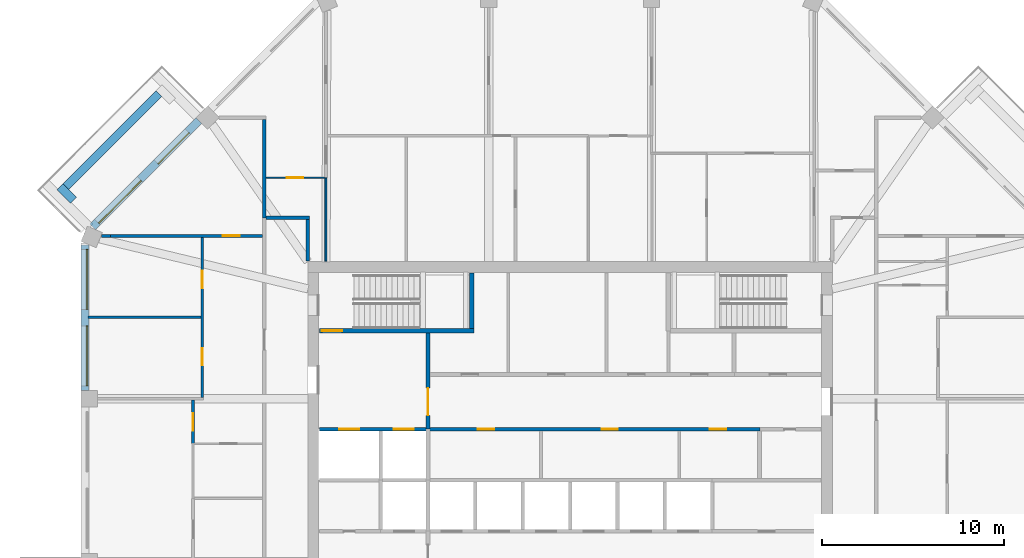
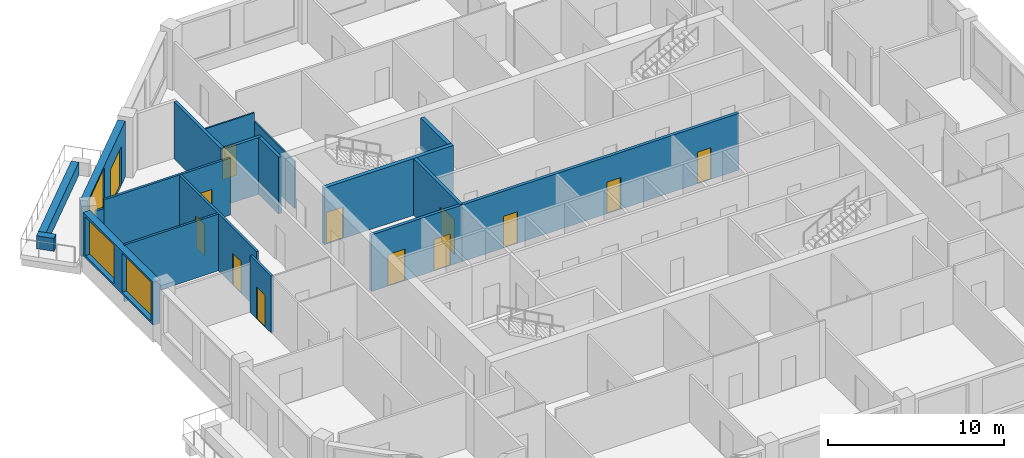
# One storey, part 7 of 11: 19 walls, 13 doors, 3 windows, 16 openings.
"""IFC4 building model written with IfcOpenShell, lengths in metres."""

from ifc_helpers import new_model, si_unit, direction, frame, frame_2d, origin, place, context, subcontext, project, spatial, rectangle, extrude, material, layer, layer_set, type_object, element, fill, save


model = new_model("IFC4")

# Units and contexts
model_context = context("Model", 3, precision=1e-05, world=origin(), true_north=direction((0.0, 1.0)))
body_context = subcontext(model_context, "Body", "Model", "MODEL_VIEW")
ifc_project = project(units=[si_unit("LENGTHUNIT", "METRE"), si_unit("AREAUNIT", "SQUARE_METRE"), si_unit("VOLUMEUNIT", "CUBIC_METRE"), si_unit("PLANEANGLEUNIT", "RADIAN"), si_unit("MASSUNIT", "GRAM", prefix="KILO")], contexts=[model_context])

# Site, building, storey
site_placement = place(None, origin())
site = spatial("IfcSite", under=ifc_project, at=site_placement, CompositionType="ELEMENT")
building_placement = place(site_placement, origin())
building = spatial("IfcBuilding", under=site, at=building_placement, Name="Msitu Wima Residences", CompositionType="ELEMENT")
storey_placement = place(building_placement, frame((0.0, 0.0, 297.89990234375)))
storey = spatial("IfcBuildingStorey", under=building, at=storey_placement, Name="L69", CompositionType="ELEMENT", Elevation=297.89990234375)

# Walls
ifc_material_1 = material(Name="Facing brick")
ifc_layer_1 = layer(ifc_material_1, 0.06494140625, Name="Facing brick")
ifc_material_2 = material(Name="Concrete C40/50", Category="concrete")
ifc_layer_2 = layer(ifc_material_2, 0.156005859375, Name="Concrete C40/50")
ifc_material_3 = material(Name="Waterproofing membrane")
ifc_layer_3 = layer(ifc_material_3, 0.00390625, Name="Waterproofing membrane")
ifc_material_4 = material(Name="Planting soil and planting")
ifc_layer_4 = layer(ifc_material_4, 0.22509765625, Name="Planting soil and planting")
ifc_layer_set_1 = layer_set([ifc_layer_1, ifc_layer_2, ifc_layer_3, ifc_layer_4], Name="Concrete C40/50")
wall_type_1 = type_object("IfcWallType", Name="Balcony planter PLANTER PL450", PredefinedType="USERDEFINED", material=ifc_layer_set_1)
wall_1_placement = place(storey_placement, frame((-22.572265625, 21.228759765625, 0.0), z_axis=(0.0, 0.0, 1.0), x_axis=(-0.707106781187, -0.707106781187, 0.0)))
element("IfcWall", 1, at=wall_1_placement, inside=storey, type_object=wall_type_1, Name="Balcony planter NW1 L69", ObjectType="PLANTER", PredefinedType="USERDEFINED", context=body_context, shape_type="SweptSolid", body=[
    extrude(rectangle(XDim=7.23828125, YDim=0.449951171875, at=frame_2d((3.619140625, 0.0))), origin(), (0.0, 0.0, 1.0), 0.900146484375),
])
wall_2_placement = place(storey_placement, frame((-27.26611328125, 15.3681640625, 0.0), z_axis=(0.0, 0.0, 1.0), x_axis=(-0.707223014731, 0.706990528533, 0.0)))
element("IfcWall", 2, at=wall_2_placement, inside=storey, type_object=wall_type_1, Name="Balcony planter NW1 L69", ObjectType="PLANTER", PredefinedType="USERDEFINED", context=body_context, shape_type="SweptSolid", body=[
    extrude(rectangle(XDim=1.050048828125, YDim=0.449951171875, at=frame_2d((0.52490234375, 0.0))), origin(), (0.0, 0.0, 1.0), 0.900146484375),
])

# Wall, openings, door, window
ifc_material_5 = material(Name="Brick (red buff mix)", Category="masonry")
ifc_layer_5 = layer(ifc_material_5, 0.449951171875)
ifc_layer_set_2 = layer_set([ifc_layer_5], Name="Brick (red buff mix)")
wall_type_2 = type_object("IfcWallType", Name="Brick infill wall BW450", PredefinedType="SOLIDWALL", material=ifc_layer_set_2)
wall_3_placement = place(storey_placement, frame((-20.380126953125, 19.743896484375, 0.0), z_axis=(0.0, 0.0, 1.0), x_axis=(-0.707106781187, -0.707106781187, 0.0)))
wall_3 = element("IfcWall", 3, at=wall_3_placement, inside=storey, type_object=wall_type_2, Name="Brick infill wall L69 NW1", PredefinedType="SOLIDWALL", context=body_context, shape_type="SweptSolid", body=[
    extrude(rectangle(XDim=8.251220703125, YDim=0.449951171875, at=frame_2d((4.12548828125, 0.0))), origin(), (0.0, 0.0, 1.0), 3.900146484375),
])
opening_1_placement = place(wall_3_placement, frame((0.86279296875, 0.0, 0.0)))
opening_1 = element("IfcOpeningElement", 4, at=opening_1_placement, cuts=wall_3, Name="Opening D68-70.004", PredefinedType="OPENING", context=body_context, shape_type="SweptSolid", body=[
    extrude(rectangle(XDim=2.39990234375, YDim=2.699951171875, at=frame_2d((1.199951171875, 1.35009765625))), frame((0.0, 0.23486328125, 0.0), z_axis=(0.0, -1.0, 0.0), x_axis=(1.0, 0.0, 0.0)), (0.0, 0.0, 1.0), 0.469970703125),
])
opening_2_placement = place(wall_3_placement, frame((4.57568359375, 0.0, 1.050048828125)))
opening_2 = element("IfcOpeningElement", 5, at=opening_2_placement, cuts=wall_3, Name="Opening W68-70.016", PredefinedType="OPENING", context=body_context, shape_type="SweptSolid", body=[
    extrude(rectangle(XDim=3.300048828125, YDim=2.699951171875, at=frame_2d((1.64990234375, 1.35009765625))), frame((0.0, 0.23486328125, 0.0), z_axis=(0.0, -1.0, 0.0), x_axis=(1.0, 0.0, 0.0)), (0.0, 0.0, 1.0), 0.469970703125),
])
ifc_material_6 = material(Name="Anodised aluminium, bronze finish, clear low-emissivity double glazing", Category="aluminium")
door_type_1 = type_object("IfcDoorType", Name="Balcony door D2400x2700", OperationType="SLIDING_TO_LEFT", PredefinedType="DOOR", material=ifc_material_6)
door_1_placement = place(opening_1_placement, origin())
door_1 = element("IfcDoor", 6, at=door_1_placement, inside=storey, type_object=door_type_1, Name="Balcony door L69 NW1", OperationType="SINGLE_SWING_LEFT", OverallHeight=2.699951171875, OverallWidth=2.39990234375, PredefinedType="DOOR", context=body_context, shape_type="SweptSolid", body=[
    extrude(rectangle(XDim=2.39990234375, YDim=2.699951171875, at=frame_2d((1.199951171875, 1.35009765625))), frame((0.0, 0.1298828125, 0.0), z_axis=(0.0, -1.0, 0.0), x_axis=(1.0, 0.0, 0.0)), (0.0, 0.0, 1.0), 0.050048828125),
])
fill(opening_1, door_1)
window_type = type_object("IfcWindowType", Name="Window W3300x2700", PartitioningType="DOUBLE_PANEL_VERTICAL", PredefinedType="WINDOW", material=ifc_material_6)
window_1_placement = place(opening_2_placement, origin())
window_1 = element("IfcWindow", 7, at=window_1_placement, inside=storey, type_object=window_type, Name="Window L69 NW1.2", OverallHeight=2.699951171875, OverallWidth=3.300048828125, PartitioningType="SINGLE_PANEL", PredefinedType="WINDOW", context=body_context, shape_type="SweptSolid", body=[
    extrude(rectangle(XDim=3.300048828125, YDim=2.699951171875, at=frame_2d((1.64990234375, 1.35009765625))), frame((0.0, 0.135009765625, 0.0), z_axis=(0.0, -1.0, 0.0), x_axis=(1.0, 0.0, 0.0)), (0.0, 0.0, 1.0), 0.06005859375),
])
fill(opening_2, window_1)

# Wall, openings, windows
wall_4_placement = place(storey_placement, frame((-26.625, 12.918701171875, 0.900146484375), z_axis=(0.0, 0.0, 1.0), x_axis=(0.0, -1.0, 0.0)))
wall_4 = element("IfcWall", 8, at=wall_4_placement, inside=storey, type_object=wall_type_2, Name="Brick infill wall L69 W0", PredefinedType="SOLIDWALL", context=body_context, shape_type="SweptSolid", body=[
    extrude(rectangle(XDim=8.0, YDim=0.449951171875, at=frame_2d((4.0, 0.0))), origin(), (0.0, 0.0, 1.0), 3.0),
])
opening_3_placement = place(wall_4_placement, frame((0.25, 0.0, 0.14990234375)))
opening_3 = element("IfcOpeningElement", 9, at=opening_3_placement, cuts=wall_4, Name="Opening W68-70.029", PredefinedType="OPENING", context=body_context, shape_type="SweptSolid", body=[
    extrude(rectangle(XDim=3.300048828125, YDim=2.699951171875, at=frame_2d((1.64990234375, 1.35009765625))), frame((0.0, 0.23486328125, 0.0), z_axis=(0.0, -1.0, 0.0), x_axis=(1.0, 0.0, 0.0)), (0.0, 0.0, 1.0), 0.469970703125),
])
opening_4_placement = place(wall_4_placement, frame((4.4501953125, 0.0, 0.14990234375)))
opening_4 = element("IfcOpeningElement", 10, at=opening_4_placement, cuts=wall_4, Name="Opening W68-70.030", PredefinedType="OPENING", context=body_context, shape_type="SweptSolid", body=[
    extrude(rectangle(XDim=3.300048828125, YDim=2.699951171875, at=frame_2d((1.64990234375, 1.35009765625))), frame((0.0, 0.23486328125, 0.0), z_axis=(0.0, -1.0, 0.0), x_axis=(1.0, 0.0, 0.0)), (0.0, 0.0, 1.0), 0.469970703125),
])
window_2_placement = place(opening_3_placement, origin())
window_2 = element("IfcWindow", 11, at=window_2_placement, inside=storey, type_object=window_type, Name="Window L69 W0.1", OverallHeight=2.699951171875, OverallWidth=3.300048828125, PartitioningType="SINGLE_PANEL", PredefinedType="WINDOW", context=body_context, shape_type="SweptSolid", body=[
    extrude(rectangle(XDim=3.300048828125, YDim=2.699951171875, at=frame_2d((1.64990234375, 1.35009765625))), frame((0.0, 0.135009765625, 0.0), z_axis=(0.0, -1.0, 0.0), x_axis=(1.0, 0.0, 0.0)), (0.0, 0.0, 1.0), 0.06005859375),
])
fill(opening_3, window_2)
window_3_placement = place(opening_4_placement, origin())
window_3 = element("IfcWindow", 12, at=window_3_placement, inside=storey, type_object=window_type, Name="Window L69 W0.2", OverallHeight=2.699951171875, OverallWidth=3.300048828125, PartitioningType="SINGLE_PANEL", PredefinedType="WINDOW", context=body_context, shape_type="SweptSolid", body=[
    extrude(rectangle(XDim=3.300048828125, YDim=2.699951171875, at=frame_2d((1.64990234375, 1.35009765625))), frame((0.0, 0.135009765625, 0.0), z_axis=(0.0, -1.0, 0.0), x_axis=(1.0, 0.0, 0.0)), (0.0, 0.0, 1.0), 0.06005859375),
])
fill(opening_4, window_3)

# Walls
ifc_material_7 = material(Name="Plaster")
ifc_layer_6 = layer(ifc_material_7, 0.011962890625, Name="Plaster")
ifc_material_8 = material(Name="Concrete blockwork", Category="masonry")
ifc_layer_7 = layer(ifc_material_8, 0.176025390625, Name="Concrete blockwork")
ifc_layer_8 = layer(ifc_material_7, 0.011962890625, Name="Plaster")
ifc_layer_set_3 = layer_set([ifc_layer_6, ifc_layer_7, ifc_layer_8], Name="Concrete blockwork")
wall_type_3 = type_object("IfcWallType", Name="Corridor wall FW200", PredefinedType="PARTITIONING", material=ifc_layer_set_3)
wall_5_placement = place(storey_placement, frame((-16.699951171875, 14.39990234375, 0.0), z_axis=(0.0, 0.0, 1.0), x_axis=(1.0, 0.0, 0.0)))
element("IfcWall", 13, at=wall_5_placement, inside=storey, type_object=wall_type_3, Name="Corridor wall", PredefinedType="PARTITIONING", context=body_context, shape_type="SweptSolid", body=[
    extrude(rectangle(XDim=2.39990234375, YDim=0.199951171875, at=frame_2d((1.199951171875, 0.0))), origin(), (0.0, 0.0, 1.0), 3.9501953125),
])
wall_6_placement = place(storey_placement, frame((-14.39990234375, 12.030029296875, 0.0), z_axis=(0.0, 0.0, 1.0), x_axis=(0.0, 1.0, 0.0)))
element("IfcWall", 14, at=wall_6_placement, inside=storey, type_object=wall_type_3, Name="Corridor wall", PredefinedType="PARTITIONING", context=body_context, shape_type="SweptSolid", body=[
    extrude(rectangle(XDim=2.27001953125, YDim=0.199951171875, at=frame_2d((1.135009765625, 0.0))), origin(), (0.0, 0.0, 1.0), 3.9501953125),
])

# Wall, openings, doors
wall_7_placement = place(storey_placement, frame((-7.820068359375, 2.800048828125, 0.0), z_axis=(0.0, 0.0, 1.0), x_axis=(1.0, 0.0, 0.0)))
wall_7 = element("IfcWall", 15, at=wall_7_placement, inside=storey, type_object=wall_type_3, Name="Corridor wall", PredefinedType="PARTITIONING", context=body_context, shape_type="SweptSolid", body=[
    extrude(rectangle(XDim=18.239990234375, YDim=0.199951171875, at=frame_2d((9.1201171875, 0.0))), origin(), (0.0, 0.0, 1.0), 3.9501953125),
])
opening_5_placement = place(wall_7_placement, frame((2.75, 0.0, 0.0)))
opening_5 = element("IfcOpeningElement", 16, at=opening_5_placement, cuts=wall_7, Name="Opening D68-70.073", PredefinedType="OPENING", context=body_context, shape_type="SweptSolid", body=[
    extrude(rectangle(XDim=0.89990234375, YDim=2.199951171875, at=frame_2d((0.449951171875, 1.10009765625))), frame((0.0, 0.10986328125, 0.0), z_axis=(0.0, -1.0, 0.0), x_axis=(1.0, 0.0, 0.0)), (0.0, 0.0, 1.0), 0.219970703125),
])
opening_6_placement = place(wall_7_placement, frame((9.550048828125, 0.0, 0.0)))
opening_6 = element("IfcOpeningElement", 17, at=opening_6_placement, cuts=wall_7, Name="Opening D68-70.074", PredefinedType="OPENING", context=body_context, shape_type="SweptSolid", body=[
    extrude(rectangle(XDim=0.89990234375, YDim=2.199951171875, at=frame_2d((0.449951171875, 1.10009765625))), frame((0.0, 0.10986328125, 0.0), z_axis=(0.0, -1.0, 0.0), x_axis=(1.0, 0.0, 0.0)), (0.0, 0.0, 1.0), 0.219970703125),
])
opening_7_placement = place(wall_7_placement, frame((15.5, 0.0, 0.0)))
opening_7 = element("IfcOpeningElement", 18, at=opening_7_placement, cuts=wall_7, Name="Opening D68-70.075", PredefinedType="OPENING", context=body_context, shape_type="SweptSolid", body=[
    extrude(rectangle(XDim=0.89990234375, YDim=2.199951171875, at=frame_2d((0.449951171875, 1.10009765625))), frame((0.0, 0.10986328125, 0.0), z_axis=(0.0, -1.0, 0.0), x_axis=(1.0, 0.0, 0.0)), (0.0, 0.0, 1.0), 0.219970703125),
])
ifc_material_9 = material(Name="Timber flush door", Category="wood")
door_type_2 = type_object("IfcDoorType", Name="Service door D05 900x2200", OperationType="SINGLE_SWING_LEFT", PredefinedType="DOOR", material=ifc_material_9)
door_2_placement = place(opening_5_placement, origin())
door_2 = element("IfcDoor", 19, at=door_2_placement, inside=storey, type_object=door_type_2, Name="Service door", OperationType="SINGLE_SWING_LEFT", OverallHeight=2.199951171875, OverallWidth=0.89990234375, PredefinedType="DOOR", context=body_context, shape_type="SweptSolid", body=[
    extrude(rectangle(XDim=0.89990234375, YDim=2.199951171875, at=frame_2d((0.449951171875, 1.10009765625))), frame((0.0, 0.02490234375, 0.0), z_axis=(0.0, -1.0, 0.0), x_axis=(1.0, 0.0, 0.0)), (0.0, 0.0, 1.0), 0.050048828125),
])
fill(opening_5, door_2)
door_3_placement = place(opening_6_placement, origin())
door_3 = element("IfcDoor", 20, at=door_3_placement, inside=storey, type_object=door_type_2, Name="Service door", OperationType="SINGLE_SWING_LEFT", OverallHeight=2.199951171875, OverallWidth=0.89990234375, PredefinedType="DOOR", context=body_context, shape_type="SweptSolid", body=[
    extrude(rectangle(XDim=0.89990234375, YDim=2.199951171875, at=frame_2d((0.449951171875, 1.10009765625))), frame((0.0, 0.02490234375, 0.0), z_axis=(0.0, -1.0, 0.0), x_axis=(1.0, 0.0, 0.0)), (0.0, 0.0, 1.0), 0.050048828125),
])
fill(opening_6, door_3)
door_4_placement = place(opening_7_placement, origin())
door_4 = element("IfcDoor", 21, at=door_4_placement, inside=storey, type_object=door_type_2, Name="Service door", OperationType="SINGLE_SWING_RIGHT", OverallHeight=2.199951171875, OverallWidth=0.89990234375, PredefinedType="DOOR", context=body_context, shape_type="SweptSolid", body=[
    extrude(rectangle(XDim=0.89990234375, YDim=2.199951171875, at=frame_2d((0.449951171875, 1.10009765625))), frame((0.0, 0.02490234375, 0.0), z_axis=(0.0, -1.0, 0.0), x_axis=(1.0, 0.0, 0.0)), (0.0, 0.0, 1.0), 0.050048828125),
])
fill(opening_7, door_4)

# Wall, opening, door
wall_8_placement = place(storey_placement, frame((-7.800048828125, 2.800048828125, 0.0), z_axis=(0.0, 0.0, 1.0), x_axis=(0.0, 1.0, 0.0)))
wall_8 = element("IfcWall", 22, at=wall_8_placement, inside=storey, type_object=wall_type_3, Name="Corridor wall", PredefinedType="PARTITIONING", context=body_context, shape_type="SweptSolid", body=[
    extrude(rectangle(XDim=5.27490234375, YDim=0.199951171875, at=frame_2d((2.637451171875, 0.0))), origin(), (0.0, 0.0, 1.0), 3.9501953125),
])
opening_8_placement = place(wall_8_placement, frame((0.75, 0.0, 0.0)))
opening_8 = element("IfcOpeningElement", 23, at=opening_8_placement, cuts=wall_8, Name="Opening D68-70.059", PredefinedType="OPENING", context=body_context, shape_type="SweptSolid", body=[
    extrude(rectangle(XDim=1.5, YDim=2.39990234375, at=frame_2d((0.75, 1.199951171875))), frame((0.0, 0.10986328125, 0.0), z_axis=(0.0, -1.0, 0.0), x_axis=(1.0, 0.0, 0.0)), (0.0, 0.0, 1.0), 0.219970703125),
])
ifc_material_10 = material(Name="Steel framed glazed door, fire resisting", Category="steel")
door_type_3 = type_object("IfcDoorType", Name="Lobby door D07 1500x2400", OperationType="DOUBLE_DOOR_SINGLE_SWING", PredefinedType="DOOR", material=ifc_material_10)
door_5_placement = place(opening_8_placement, origin())
door_5 = element("IfcDoor", 24, at=door_5_placement, inside=storey, type_object=door_type_3, Name="Lobby door", OperationType="DOUBLE_DOOR_SINGLE_SWING", OverallHeight=2.39990234375, OverallWidth=1.5, PredefinedType="DOOR", context=body_context, shape_type="SweptSolid", body=[
    extrude(rectangle(XDim=1.5, YDim=2.39990234375, at=frame_2d((0.75, 1.199951171875))), frame((0.0, 0.02490234375, 0.0), z_axis=(0.0, -1.0, 0.0), x_axis=(1.0, 0.0, 0.0)), (0.0, 0.0, 1.0), 0.050048828125),
])
fill(opening_8, door_5)

# Walls
ifc_layer_9 = layer(ifc_material_7, 0.011962890625, Name="Plaster")
ifc_layer_10 = layer(ifc_material_8, 0.1259765625, Name="Concrete blockwork")
ifc_layer_11 = layer(ifc_material_7, 0.011962890625, Name="Plaster")
ifc_layer_set_4 = layer_set([ifc_layer_9, ifc_layer_10, ifc_layer_11], Name="Concrete blockwork")
wall_type_4 = type_object("IfcWallType", Name="Partition PW150", PredefinedType="PARTITIONING", material=ifc_layer_set_4)
wall_9_placement = place(storey_placement, frame((-26.455078125, 8.937255859375, 0.0), z_axis=(0.0, 0.0, 1.0), x_axis=(1.0, 0.0, 0.0)))
element("IfcWall", 25, at=wall_9_placement, inside=storey, type_object=wall_type_4, Name="Partition", PredefinedType="PARTITIONING", context=body_context, shape_type="SweptSolid", body=[
    extrude(rectangle(XDim=6.18017578125, YDim=0.14990234375, at=frame_2d((3.090087890625, 0.0))), origin(), (0.0, 0.0, 1.0), 3.9501953125),
])
wall_10_placement = place(storey_placement, frame((-25.731201171875, 13.406005859375, 0.0), z_axis=(0.0, 0.0, 1.0), x_axis=(1.0, 0.0, 0.0)))
element("IfcWall", 26, at=wall_10_placement, inside=storey, type_object=wall_type_4, Name="Partition", PredefinedType="PARTITIONING", context=body_context, shape_type="SweptSolid", body=[
    extrude(rectangle(XDim=0.507080078125, YDim=0.14990234375, at=frame_2d((0.25341796875, 0.0))), origin(), (0.0, 0.0, 1.0), 3.35009765625),
])

# Wall, opening, door
wall_11_placement = place(storey_placement, frame((-25.22412109375, 13.406005859375, 0.0), z_axis=(0.0, 0.0, 1.0), x_axis=(1.0, 0.0, 0.0)))
wall_11 = element("IfcWall", 27, at=wall_11_placement, inside=storey, type_object=wall_type_4, Name="Partition", PredefinedType="PARTITIONING", context=body_context, shape_type="SweptSolid", body=[
    extrude(rectangle(XDim=8.32421875, YDim=0.14990234375, at=frame_2d((4.162109375, 0.0))), origin(), (0.0, 0.0, 1.0), 3.9501953125),
])
opening_9_placement = place(wall_11_placement, frame((6.142822265625, 0.0, 0.0)))
opening_9 = element("IfcOpeningElement", 28, at=opening_9_placement, cuts=wall_11, Name="Opening D68-70.035", PredefinedType="OPENING", context=body_context, shape_type="SweptSolid", body=[
    extrude(rectangle(XDim=0.949951171875, YDim=2.199951171875, at=frame_2d((0.47509765625, 1.10009765625))), frame((0.0, 0.0849609375, 0.0), z_axis=(0.0, -1.0, 0.0), x_axis=(1.0, 0.0, 0.0)), (0.0, 0.0, 1.0), 0.169921875),
])
door_type_4 = type_object("IfcDoorType", Name="Room door D12 950x2200", OperationType="SINGLE_SWING_LEFT", PredefinedType="DOOR", material=ifc_material_9)
door_6_placement = place(opening_9_placement, origin())
door_6 = element("IfcDoor", 29, at=door_6_placement, inside=storey, type_object=door_type_4, Name="Room door", OperationType="SINGLE_SWING_RIGHT", OverallHeight=2.199951171875, OverallWidth=0.949951171875, PredefinedType="DOOR", context=body_context, shape_type="SweptSolid", body=[
    extrude(rectangle(XDim=0.949951171875, YDim=2.199951171875, at=frame_2d((0.47509765625, 1.10009765625))), frame((0.0, 0.02490234375, 0.0), z_axis=(0.0, -1.0, 0.0), x_axis=(1.0, 0.0, 0.0)), (0.0, 0.0, 1.0), 0.050048828125),
])
fill(opening_9, door_6)

wall_12_placement = place(storey_placement, frame((-20.699951171875, 2.02001953125, 0.0), z_axis=(0.0, 0.0, 1.0), x_axis=(0.0, 1.0, 0.0)))
wall_12 = element("IfcWall", 30, at=wall_12_placement, inside=storey, type_object=wall_type_4, Name="Partition", PredefinedType="PARTITIONING", context=body_context, shape_type="SweptSolid", body=[
    extrude(rectangle(XDim=2.37353515625, YDim=0.14990234375, at=frame_2d((1.186767578125, 0.0))), origin(), (0.0, 0.0, 1.0), 3.9501953125),
])
opening_10_placement = place(wall_12_placement, frame((0.699951171875, 0.0, 0.0)))
opening_10 = element("IfcOpeningElement", 31, at=opening_10_placement, cuts=wall_12, Name="Opening D68-70.039", PredefinedType="OPENING", context=body_context, shape_type="SweptSolid", body=[
    extrude(rectangle(XDim=0.949951171875, YDim=2.199951171875, at=frame_2d((0.47509765625, 1.10009765625))), frame((0.0, 0.0849609375, 0.0), z_axis=(0.0, -1.0, 0.0), x_axis=(1.0, 0.0, 0.0)), (0.0, 0.0, 1.0), 0.169921875),
])
door_7_placement = place(opening_10_placement, origin())
door_7 = element("IfcDoor", 32, at=door_7_placement, inside=storey, type_object=door_type_4, Name="Room door", OperationType="SINGLE_SWING_RIGHT", OverallHeight=2.199951171875, OverallWidth=0.949951171875, PredefinedType="DOOR", context=body_context, shape_type="SweptSolid", body=[
    extrude(rectangle(XDim=0.949951171875, YDim=2.199951171875, at=frame_2d((0.47509765625, 1.10009765625))), frame((0.0, 0.02490234375, 0.0), z_axis=(0.0, -1.0, 0.0), x_axis=(1.0, 0.0, 0.0)), (0.0, 0.0, 1.0), 0.050048828125),
])
fill(opening_10, door_7)

# Wall, openings, doors
wall_13_placement = place(storey_placement, frame((-20.199951171875, 4.543701171875, 0.0), z_axis=(0.0, 0.0, 1.0), x_axis=(0.0, 1.0, 0.0)))
wall_13 = element("IfcWall", 33, at=wall_13_placement, inside=storey, type_object=wall_type_4, Name="Partition", PredefinedType="PARTITIONING", context=body_context, shape_type="SweptSolid", body=[
    extrude(rectangle(XDim=8.787109375, YDim=0.14990234375, at=frame_2d((4.3935546875, 0.0))), origin(), (0.0, 0.0, 1.0), 3.9501953125),
])
opening_11_placement = place(wall_13_placement, frame((6.0, 0.0, 0.0)))
opening_11 = element("IfcOpeningElement", 34, at=opening_11_placement, cuts=wall_13, Name="Opening D68-70.037", PredefinedType="OPENING", context=body_context, shape_type="SweptSolid", body=[
    extrude(rectangle(XDim=0.949951171875, YDim=2.199951171875, at=frame_2d((0.47509765625, 1.10009765625))), frame((0.0, 0.0849609375, 0.0), z_axis=(0.0, -1.0, 0.0), x_axis=(1.0, 0.0, 0.0)), (0.0, 0.0, 1.0), 0.169921875),
])
opening_12_placement = place(wall_13_placement, frame((1.75, 0.0, 0.0)))
opening_12 = element("IfcOpeningElement", 35, at=opening_12_placement, cuts=wall_13, Name="Opening D68-70.038", PredefinedType="OPENING", context=body_context, shape_type="SweptSolid", body=[
    extrude(rectangle(XDim=0.949951171875, YDim=2.199951171875, at=frame_2d((0.47509765625, 1.10009765625))), frame((0.0, 0.0849609375, 0.0), z_axis=(0.0, -1.0, 0.0), x_axis=(1.0, 0.0, 0.0)), (0.0, 0.0, 1.0), 0.169921875),
])
door_8_placement = place(opening_11_placement, origin())
door_8 = element("IfcDoor", 36, at=door_8_placement, inside=storey, type_object=door_type_4, Name="Room door", OperationType="SINGLE_SWING_LEFT", OverallHeight=2.199951171875, OverallWidth=0.949951171875, PredefinedType="DOOR", context=body_context, shape_type="SweptSolid", body=[
    extrude(rectangle(XDim=0.949951171875, YDim=2.199951171875, at=frame_2d((0.47509765625, 1.10009765625))), frame((0.0, 0.02490234375, 0.0), z_axis=(0.0, -1.0, 0.0), x_axis=(1.0, 0.0, 0.0)), (0.0, 0.0, 1.0), 0.050048828125),
])
fill(opening_11, door_8)
door_9_placement = place(opening_12_placement, origin())
door_9 = element("IfcDoor", 37, at=door_9_placement, inside=storey, type_object=door_type_4, Name="Room door", OperationType="SINGLE_SWING_RIGHT", OverallHeight=2.199951171875, OverallWidth=0.949951171875, PredefinedType="DOOR", context=body_context, shape_type="SweptSolid", body=[
    extrude(rectangle(XDim=0.949951171875, YDim=2.199951171875, at=frame_2d((0.47509765625, 1.10009765625))), frame((0.0, 0.02490234375, 0.0), z_axis=(0.0, -1.0, 0.0), x_axis=(1.0, 0.0, 0.0)), (0.0, 0.0, 1.0), 0.050048828125),
])
fill(opening_12, door_9)

# Wall
ifc_layer_12 = layer(ifc_material_7, 0.011962890625, Name="Plaster")
ifc_material_11 = material(Name="Dense concrete blockwork", Category="masonry")
ifc_layer_13 = layer(ifc_material_11, 0.176025390625, Name="Dense concrete blockwork")
ifc_layer_14 = layer(ifc_material_7, 0.011962890625, Name="Plaster")
ifc_layer_set_5 = layer_set([ifc_layer_12, ifc_layer_13, ifc_layer_14], Name="Dense concrete blockwork")
wall_type_5 = type_object("IfcWallType", Name="Party wall PW200", PredefinedType="PARTITIONING", material=ifc_layer_set_5)
wall_14_placement = place(storey_placement, frame((-16.800048828125, 14.39990234375, 0.0), z_axis=(0.0, 0.0, 1.0), x_axis=(0.0, 1.0, 0.0)))
element("IfcWall", 38, at=wall_14_placement, inside=storey, type_object=wall_type_5, Name="Party wall", PredefinedType="PARTITIONING", context=body_context, shape_type="SweptSolid", body=[
    extrude(rectangle(XDim=5.403076171875, YDim=0.199951171875, at=frame_2d((2.70166015625, 0.0))), origin(), (0.0, 0.0, 1.0), 3.9501953125),
])

# Wall, openings, doors
ifc_material_12 = material(Name="Fire-rated board")
ifc_layer_15 = layer(ifc_material_12, 0.02490234375, Name="Fire-rated board")
ifc_material_13 = material(Name="Light-gauge stud framing with mineral wool")
ifc_layer_16 = layer(ifc_material_13, 0.14990234375, Name="Light-gauge stud framing with mineral wool")
ifc_layer_17 = layer(ifc_material_12, 0.02490234375, Name="Fire-rated board")
ifc_layer_set_6 = layer_set([ifc_layer_15, ifc_layer_16, ifc_layer_17], Name="Light-gauge stud framing with mineral wool")
wall_type_6 = type_object("IfcWallType", Name="Shaft wall SH200", PredefinedType="PARTITIONING", material=ifc_layer_set_6)
wall_15_placement = place(storey_placement, frame((-13.77001953125, 2.800048828125, 0.0), z_axis=(0.0, 0.0, 1.0), x_axis=(1.0, 0.0, 0.0)))
wall_15 = element("IfcWall", 39, at=wall_15_placement, inside=storey, type_object=wall_type_6, Name="Shaft wall", PredefinedType="PARTITIONING", context=body_context, shape_type="SweptSolid", body=[
    extrude(rectangle(XDim=5.949951171875, YDim=0.199951171875, at=frame_2d((2.97509765625, 0.0))), origin(), (0.0, 0.0, 1.0), 3.9501953125),
])
opening_13_placement = place(wall_15_placement, frame((1.10009765625, 0.0, 0.0)))
opening_13 = element("IfcOpeningElement", 40, at=opening_13_placement, cuts=wall_15, Name="Opening LD", PredefinedType="OPENING", context=body_context, shape_type="SweptSolid", body=[
    extrude(rectangle(XDim=1.10009765625, YDim=2.199951171875, at=frame_2d((0.550048828125, 1.10009765625))), frame((0.0, 0.10986328125, 0.0), z_axis=(0.0, -1.0, 0.0), x_axis=(1.0, 0.0, 0.0)), (0.0, 0.0, 1.0), 0.219970703125),
])
opening_14_placement = place(wall_15_placement, frame((4.10009765625, 0.0, 0.0)))
opening_14 = element("IfcOpeningElement", 41, at=opening_14_placement, cuts=wall_15, Name="Opening LD", PredefinedType="OPENING", context=body_context, shape_type="SweptSolid", body=[
    extrude(rectangle(XDim=1.10009765625, YDim=2.199951171875, at=frame_2d((0.550048828125, 1.10009765625))), frame((0.0, 0.10986328125, 0.0), z_axis=(0.0, -1.0, 0.0), x_axis=(1.0, 0.0, 0.0)), (0.0, 0.0, 1.0), 0.219970703125),
])
ifc_material_14 = material(Name="Stainless steel centre-opening landing door, rated", Category="steel")
door_type_5 = type_object("IfcDoorType", Name="Lift landing door LD 1100x2200", OperationType="DOUBLE_DOOR_SLIDING", PredefinedType="DOOR", material=ifc_material_14)
door_10_placement = place(opening_13_placement, origin())
door_10 = element("IfcDoor", 42, at=door_10_placement, inside=storey, type_object=door_type_5, Name="Lift landing door LD1", OperationType="DOUBLE_DOOR_SLIDING", OverallHeight=2.199951171875, OverallWidth=1.10009765625, PredefinedType="DOOR", context=body_context, shape_type="SweptSolid", body=[
    extrude(rectangle(XDim=1.10009765625, YDim=2.199951171875, at=frame_2d((0.550048828125, 1.10009765625))), frame((0.0, 0.02490234375, 0.0), z_axis=(0.0, -1.0, 0.0), x_axis=(1.0, 0.0, 0.0)), (0.0, 0.0, 1.0), 0.050048828125),
])
fill(opening_13, door_10)
door_11_placement = place(opening_14_placement, origin())
door_11 = element("IfcDoor", 43, at=door_11_placement, inside=storey, type_object=door_type_5, Name="Lift landing door LD2", OperationType="DOUBLE_DOOR_SLIDING", OverallHeight=2.199951171875, OverallWidth=1.10009765625, PredefinedType="DOOR", context=body_context, shape_type="SweptSolid", body=[
    extrude(rectangle(XDim=1.10009765625, YDim=2.199951171875, at=frame_2d((0.550048828125, 1.10009765625))), frame((0.0, 0.02490234375, 0.0), z_axis=(0.0, -1.0, 0.0), x_axis=(1.0, 0.0, 0.0)), (0.0, 0.0, 1.0), 0.050048828125),
])
fill(opening_14, door_11)

# Wall, opening, door
ifc_material_15 = material(Name="Concrete C50/60", Category="concrete")
ifc_layer_18 = layer(ifc_material_15, 0.25)
ifc_layer_set_7 = layer_set([ifc_layer_18], Name="Concrete C50/60")
wall_type_7 = type_object("IfcWallType", Name="Stair enclosure wall SW250", PredefinedType="SHEAR", material=ifc_layer_set_7)
wall_16_placement = place(storey_placement, frame((-13.77001953125, 8.199951171875, 0.0), z_axis=(0.0, 0.0, 1.0), x_axis=(1.0, 0.0, 0.0)))
wall_16 = element("IfcWall", 44, at=wall_16_placement, inside=storey, type_object=wall_type_7, Name="Stair enclosure wall", PredefinedType="SHEAR", context=body_context, shape_type="SweptSolid", body=[
    extrude(rectangle(XDim=8.4951171875, YDim=0.25, at=frame_2d((4.24755859375, 0.0))), origin(), (0.0, 0.0, 1.0), 3.9501953125),
])
opening_15_placement = place(wall_16_placement, frame((0.14990234375, 0.0, 0.0)))
opening_15 = element("IfcOpeningElement", 45, at=opening_15_placement, cuts=wall_16, Name="Opening D68-70.079", PredefinedType="OPENING", context=body_context, shape_type="SweptSolid", body=[
    extrude(rectangle(XDim=1.10009765625, YDim=2.199951171875, at=frame_2d((0.550048828125, 1.10009765625))), frame((0.0, 0.135009765625, 0.0), z_axis=(0.0, -1.0, 0.0), x_axis=(1.0, 0.0, 0.0)), (0.0, 0.0, 1.0), 0.27001953125),
])
ifc_material_16 = material(Name="Steel door, fire resisting, panic bar", Category="steel")
door_type_6 = type_object("IfcDoorType", Name="Stair door D06 1100x2200", OperationType="SINGLE_SWING_LEFT", PredefinedType="DOOR", material=ifc_material_16)
door_12_placement = place(opening_15_placement, origin())
door_12 = element("IfcDoor", 46, at=door_12_placement, inside=storey, type_object=door_type_6, Name="Stair door", OperationType="SINGLE_SWING_LEFT", OverallHeight=2.199951171875, OverallWidth=1.10009765625, PredefinedType="DOOR", context=body_context, shape_type="SweptSolid", body=[
    extrude(rectangle(XDim=1.10009765625, YDim=2.199951171875, at=frame_2d((0.550048828125, 1.10009765625))), frame((0.0, 0.02490234375, 0.0), z_axis=(0.0, -1.0, 0.0), x_axis=(1.0, 0.0, 0.0)), (0.0, 0.0, 1.0), 0.050048828125),
])
fill(opening_15, door_12)

# Wall
wall_17_placement = place(storey_placement, frame((-5.39990234375, 8.324951171875, 0.0), z_axis=(0.0, 0.0, 1.0), x_axis=(0.0, 1.0, 0.0)))
element("IfcWall", 47, at=wall_17_placement, inside=storey, type_object=wall_type_7, Name="Stair enclosure wall", PredefinedType="SHEAR", context=body_context, shape_type="SweptSolid", body=[
    extrude(rectangle(XDim=3.045166015625, YDim=0.25, at=frame_2d((1.5224609375, 0.0))), origin(), (0.0, 0.0, 1.0), 3.9501953125),
])

# Wall, opening, door
ifc_material_17 = material(Name="Ceramic tiles")
ifc_layer_19 = layer(ifc_material_17, 0.008056640625, Name="Ceramic tiles")
ifc_material_18 = material(Name="Moisture-resistant board")
ifc_layer_20 = layer(ifc_material_18, 0.012451171875, Name="Moisture-resistant board")
ifc_layer_21 = layer(ifc_material_13, 0.06689453125, Name="Light-gauge stud framing with mineral wool")
ifc_layer_22 = layer(ifc_material_18, 0.012451171875, Name="Moisture-resistant board")
ifc_layer_set_8 = layer_set([ifc_layer_19, ifc_layer_20, ifc_layer_21, ifc_layer_22], Name="Light-gauge stud framing with mineral wool")
wall_type_8 = type_object("IfcWallType", Name="Wet wall PW100", PredefinedType="PARTITIONING", material=ifc_layer_set_8)
wall_18_placement = place(storey_placement, frame((-16.699951171875, 16.60009765625, 0.0), z_axis=(0.0, 0.0, 1.0), x_axis=(1.0, 0.0, 0.0)))
wall_18 = element("IfcWall", 48, at=wall_18_placement, inside=storey, type_object=wall_type_8, Name="Wet wall", PredefinedType="PARTITIONING", context=body_context, shape_type="SweptSolid", body=[
    extrude(rectangle(XDim=3.218994140625, YDim=0.10009765625, at=frame_2d((1.609375, 0.0))), origin(), (0.0, 0.0, 1.0), 3.9501953125),
])
opening_16_placement = place(wall_18_placement, frame((1.14990234375, 0.0, 0.0)))
opening_16 = element("IfcOpeningElement", 49, at=opening_16_placement, cuts=wall_18, Name="Opening D68-70.025", PredefinedType="OPENING", context=body_context, shape_type="SweptSolid", body=[
    extrude(rectangle(XDim=0.89990234375, YDim=2.199951171875, at=frame_2d((0.449951171875, 1.10009765625))), frame((0.0, 0.06005859375, 0.0), z_axis=(0.0, -1.0, 0.0), x_axis=(1.0, 0.0, 0.0)), (0.0, 0.0, 1.0), 0.1201171875),
])
ifc_material_19 = material(Name="Timber flush door, moisture resistant", Category="wood")
door_type_7 = type_object("IfcDoorType", Name="Bathroom door D03 900x2200", OperationType="SINGLE_SWING_LEFT", PredefinedType="DOOR", material=ifc_material_19)
door_13_placement = place(opening_16_placement, origin())
door_13 = element("IfcDoor", 50, at=door_13_placement, inside=storey, type_object=door_type_7, Name="Bathroom door", OperationType="SINGLE_SWING_RIGHT", OverallHeight=2.199951171875, OverallWidth=0.89990234375, PredefinedType="DOOR", context=body_context, shape_type="SweptSolid", body=[
    extrude(rectangle(XDim=0.89990234375, YDim=2.199951171875, at=frame_2d((0.449951171875, 1.10009765625))), frame((0.0, 0.02490234375, 0.0), z_axis=(0.0, -1.0, 0.0), x_axis=(1.0, 0.0, 0.0)), (0.0, 0.0, 1.0), 0.050048828125),
])
fill(opening_16, door_13)

# Wall
wall_19_placement = place(storey_placement, frame((-13.406005859375, 12.030029296875, 0.0), z_axis=(0.0, 0.0, 1.0), x_axis=(0.0, 1.0, 0.0)))
element("IfcWall", 51, at=wall_19_placement, inside=storey, type_object=wall_type_8, Name="Wet wall", PredefinedType="PARTITIONING", context=body_context, shape_type="SweptSolid", body=[
    extrude(rectangle(XDim=4.570068359375, YDim=0.10009765625, at=frame_2d((2.28515625, 0.0))), origin(), (0.0, 0.0, 1.0), 3.300048828125),
])

save(model, "model.ifc")
